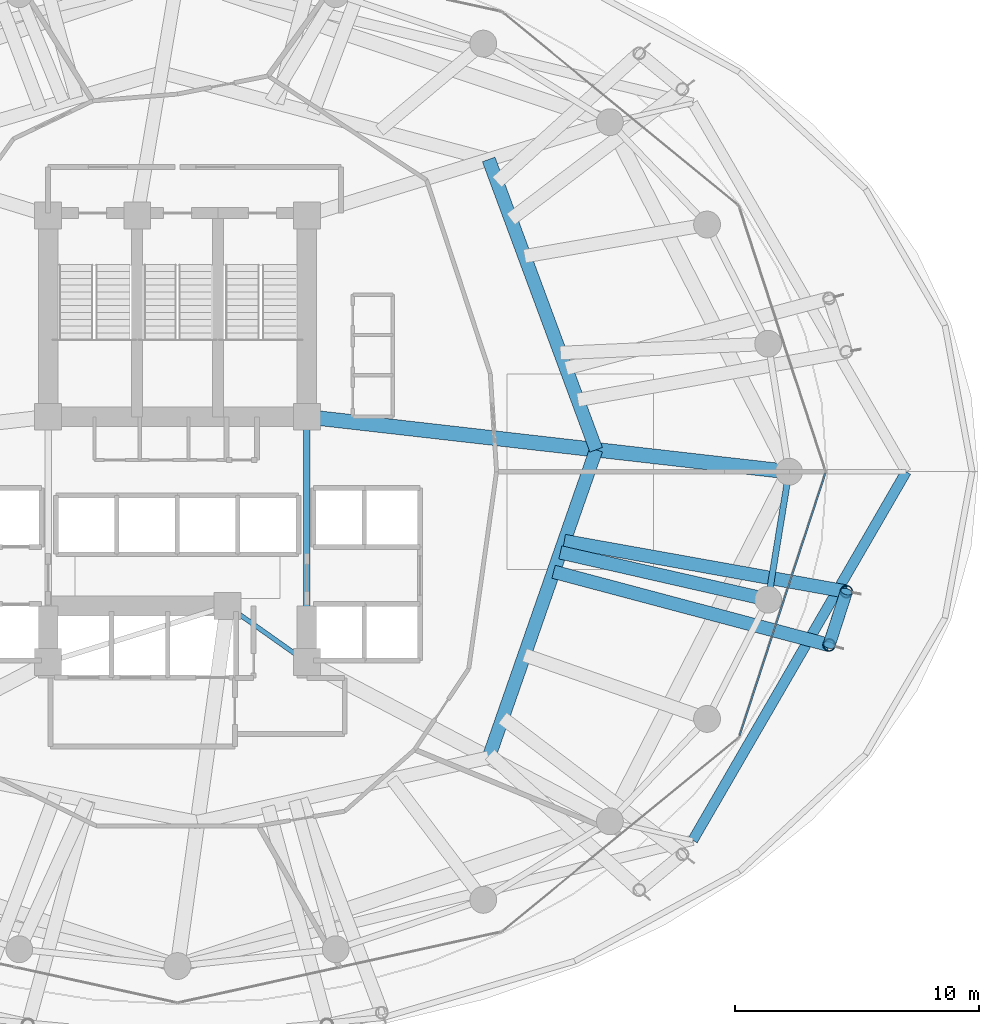
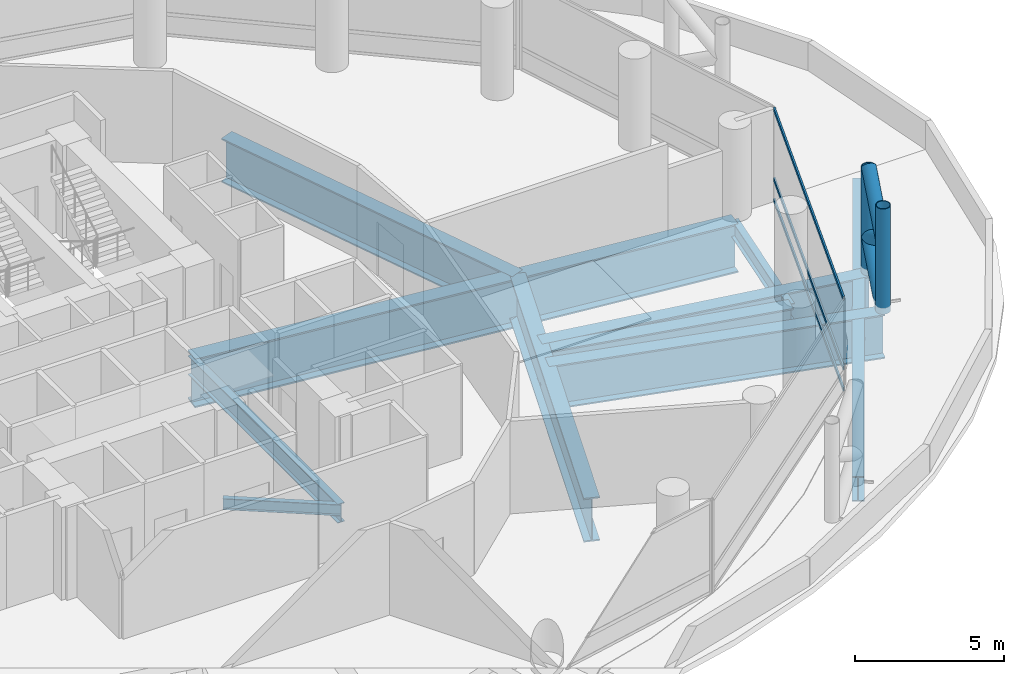
# One storey, part 15 of 37: 10 beams, 8 members, 1 element without a shape of its own.
"""IFC4 building model written with IfcOpenShell, lengths in metres."""

from ifc_helpers import new_model, si_unit, direction, frame, origin, origin_2d, place, context, subcontext, project, spatial, hollow_rectangle, hollow_circle, i_section, extrude, material, layer, layer_set, material_profile, profile_set, type_object, element, aggregate, save


model = new_model("IFC4")

# Units and contexts
model_context = context("Model", 3, precision=1e-05, world=origin(), true_north=direction((0.0, 1.0)))
body_context = subcontext(model_context, "Body", "Model", "MODEL_VIEW")
ifc_project = project(units=[si_unit("LENGTHUNIT", "METRE"), si_unit("AREAUNIT", "SQUARE_METRE"), si_unit("VOLUMEUNIT", "CUBIC_METRE"), si_unit("PLANEANGLEUNIT", "RADIAN"), si_unit("MASSUNIT", "GRAM", prefix="KILO")], contexts=[model_context])

# Site, building, storey
site_placement = place(None, origin())
site = spatial("IfcSite", under=ifc_project, at=site_placement, CompositionType="ELEMENT")
building_placement = place(site_placement, origin())
building = spatial("IfcBuilding", under=site, at=building_placement, Name="Nuhasar Tower", CompositionType="ELEMENT")
storey_placement = place(building_placement, frame((0.0, 0.0, 21.0)))
storey = spatial("IfcBuildingStorey", under=building, at=storey_placement, Name="L04", CompositionType="ELEMENT", Elevation=21.0)

# Beams
ifc_material_1 = material(Name="Steel S355", Category="steel")
ifc_material_profile_1 = material_profile(ifc_material_1, i_section(OverallWidth=0.18994140625, OverallDepth=0.45703125, WebThickness=0.009033203125, FlangeThickness=0.014404296875, at=origin_2d()), Name="W18X50")
ifc_profile_set_1 = profile_set([ifc_material_profile_1], Name="Steel S355")
beam_type_1 = type_object("IfcBeamType", Name="BM-RAD-W18X50", PredefinedType="BEAM", material=ifc_profile_set_1)
beam_1_placement = place(storey_placement, frame((41.050048828125, 21.300048828125, -0.489013671875), z_axis=(0.816265428953, -0.577677028708, 0.0), x_axis=(0.577677028708, 0.816265428953, 0.0)))
element("IfcBeam", 1, at=beam_1_placement, inside=storey, type_object=beam_type_1, Name="L04 Core Ring Girder 2", PredefinedType="BEAM", context=body_context, shape_type="SweptSolid", body=[
    extrude(i_section(OverallWidth=0.18994140625, OverallDepth=0.45703125, WebThickness=0.009033203125, FlangeThickness=0.014404296875, at=origin_2d()), origin(), (0.0, 0.0, 1.0), 3.9814453125),
])
ifc_material_profile_2 = material_profile(ifc_material_1, i_section(OverallWidth=0.26611328125, OverallDepth=0.779052734375, WebThickness=0.0166015625, FlangeThickness=0.030029296875, at=origin_2d()), Name="W30X148")
ifc_profile_set_2 = profile_set([ifc_material_profile_2], Name="Steel S355")
beam_type_2 = type_object("IfcBeamType", Name="BM-RAD-W30X148", PredefinedType="BEAM", material=ifc_profile_set_2)
beam_2_placement = place(storey_placement, frame((44.300048828125, 19.0, -0.64990234375), z_axis=(0.0, 1.0, 0.0), x_axis=(-1.0, 0.0, 0.0)))
element("IfcBeam", 2, at=beam_2_placement, inside=storey, type_object=beam_type_2, Name="L04 Core Ring Girder 3", PredefinedType="BEAM", context=body_context, shape_type="SweptSolid", body=[
    extrude(i_section(OverallWidth=0.26611328125, OverallDepth=0.779052734375, WebThickness=0.0166015625, FlangeThickness=0.030029296875, at=origin_2d()), origin(), (0.0, 0.0, 1.0), 10.050048828125),
])
ifc_material_profile_3 = material_profile(ifc_material_1, i_section(OverallWidth=0.256103515625, OverallDepth=0.693115234375, WebThickness=0.014404296875, FlangeThickness=0.023681640625, at=origin_2d()), Name="W27X114")
ifc_profile_set_3 = profile_set([ifc_material_profile_3], Name="Steel S355")
beam_type_3 = type_object("IfcBeamType", Name="BM-RING-W27X114", PredefinedType="SPANDREL", material=ifc_profile_set_3)
beam_3_placement = place(storey_placement, frame((63.196044921875, 21.55908203125, -0.60693359375), z_axis=(0.160826635486, 0.986982671235, 0.0), x_axis=(-0.986982671235, 0.160826635486, 0.0)))
element("IfcBeam", 3, at=beam_3_placement, inside=storey, type_object=beam_type_3, Name="L04 Perimeter Ring Spandrel 24", PredefinedType="SPANDREL", context=body_context, shape_type="SweptSolid", body=[
    extrude(i_section(OverallWidth=0.256103515625, OverallDepth=0.693115234375, WebThickness=0.014404296875, FlangeThickness=0.023681640625, at=origin_2d()), origin(), (0.0, 0.0, 1.0), 5.31005859375),
])
ifc_material_2 = material(Name="Steel S460", Category="steel")
ifc_material_profile_4 = material_profile(ifc_material_2, i_section(OverallWidth=0.550048828125, OverallDepth=1.64990234375, WebThickness=0.031982421875, FlangeThickness=0.054931640625, at=origin_2d()), Name="PG1650X550")
ifc_profile_set_4 = profile_set([ifc_material_profile_4], Name="Steel S460")
beam_type_4 = type_object("IfcBeamType", Name="BM-XFER-PG1650", PredefinedType="USERDEFINED", material=ifc_profile_set_4)
beam_4_placement = place(storey_placement, frame((54.68310546875, 23.49609375, -1.0849609375), z_axis=(0.975077061721, -0.221866454664, 0.0), x_axis=(0.221866454664, 0.975077061721, 0.0)))
element("IfcBeam", 4, at=beam_4_placement, inside=storey, type_object=beam_type_4, Name="L04 Inner Column Transfer Girder 24", ObjectType="GIRDER", PredefinedType="USERDEFINED", context=body_context, shape_type="SweptSolid", body=[
    extrude(i_section(OverallWidth=0.550048828125, OverallDepth=1.64990234375, WebThickness=0.031982421875, FlangeThickness=0.054931640625, at=origin_2d()), origin(), (0.0, 0.0, 1.0), 8.73046875),
])
ifc_material_profile_5 = material_profile(ifc_material_2, i_section(OverallWidth=0.550048828125, OverallDepth=1.800048828125, WebThickness=0.031982421875, FlangeThickness=0.054931640625, at=origin_2d()), Name="PG1800X550")
ifc_profile_set_5 = profile_set([ifc_material_profile_5], Name="Steel S460")
beam_type_5 = type_object("IfcBeamType", Name="BM-XFER-PG1800", PredefinedType="USERDEFINED", material=ifc_profile_set_5)
beam_5_placement = place(storey_placement, frame((51.748046875, 15.089111328125, -1.159912109375), z_axis=(0.329554049858, 0.944136710558, 0.0), x_axis=(-0.944136710558, 0.329554049858, 0.0)))
element("IfcBeam", 5, at=beam_5_placement, inside=storey, type_object=beam_type_5, Name="L04 Inner Header Beam 03", ObjectType="GIRDER", PredefinedType="USERDEFINED", context=body_context, shape_type="SweptSolid", body=[
    extrude(i_section(OverallWidth=0.550048828125, OverallDepth=1.800048828125, WebThickness=0.031982421875, FlangeThickness=0.054931640625, at=origin_2d()), origin(), (0.0, 0.0, 1.0), 13.35693359375),
])
beam_6_placement = place(storey_placement, frame((56.14990234375, 27.699951171875, -1.159912109375), z_axis=(-0.34715757476, 0.937806812881, 0.0), x_axis=(-0.937806812881, -0.34715757476, 0.0)))
element("IfcBeam", 6, at=beam_6_placement, inside=storey, type_object=beam_type_5, Name="L04 Inner Header Beam 04", ObjectType="GIRDER", PredefinedType="USERDEFINED", context=body_context, shape_type="SweptSolid", body=[
    extrude(i_section(OverallWidth=0.550048828125, OverallDepth=1.800048828125, WebThickness=0.031982421875, FlangeThickness=0.054931640625, at=origin_2d()), origin(), (0.0, 0.0, 1.0), 12.6796875),
])
beam_7_placement = place(storey_placement, frame((54.406005859375, 22.702880859375, -1.159912109375), z_axis=(0.966397133766, -0.257053651693, 0.0), x_axis=(0.257053651693, 0.966397133766, 0.0)))
element("IfcBeam", 7, at=beam_7_placement, inside=storey, type_object=beam_type_5, Name="L04 Exoskeleton Base Transfer Girder 23", ObjectType="GIRDER", PredefinedType="USERDEFINED", context=body_context, shape_type="SweptSolid", body=[
    extrude(i_section(OverallWidth=0.550048828125, OverallDepth=1.800048828125, WebThickness=0.031982421875, FlangeThickness=0.054931640625, at=origin_2d()), origin(), (0.0, 0.0, 1.0), 11.67822265625),
])
beam_8_placement = place(storey_placement, frame((54.844970703125, 23.9609375, -1.159912109375), z_axis=(0.984314388203, -0.176423312454, 0.0), x_axis=(0.176423312454, 0.984314388203, 0.0)))
element("IfcBeam", 8, at=beam_8_placement, inside=storey, type_object=beam_type_5, Name="L04 Exoskeleton Base Transfer Girder 24", ObjectType="GIRDER", PredefinedType="USERDEFINED", context=body_context, shape_type="SweptSolid", body=[
    extrude(i_section(OverallWidth=0.550048828125, OverallDepth=1.800048828125, WebThickness=0.031982421875, FlangeThickness=0.054931640625, at=origin_2d()), origin(), (0.0, 0.0, 1.0), 11.739013671875),
])
ifc_material_profile_6 = material_profile(ifc_material_2, i_section(OverallWidth=0.60009765625, OverallDepth=2.0, WebThickness=0.035888671875, FlangeThickness=0.06005859375, at=origin_2d()), Name="PG2000X600")
ifc_profile_set_6 = profile_set([ifc_material_profile_6], Name="Steel S460")
beam_type_6 = type_object("IfcBeamType", Name="BM-XFER-PG2000", PredefinedType="USERDEFINED", material=ifc_profile_set_6)
beam_9_placement = place(storey_placement, frame((44.300048828125, 29.050048828125, -1.260009765625), z_axis=(0.993573147212, -0.113191877531, 0.0), x_axis=(0.113191877531, 0.993573147212, 0.0)))
element("IfcBeam", 9, at=beam_9_placement, inside=storey, type_object=beam_type_6, Name="L04 Radial Floor Girder 04", ObjectType="GIRDER", PredefinedType="USERDEFINED", context=body_context, shape_type="SweptSolid", body=[
    extrude(i_section(OverallWidth=0.60009765625, OverallDepth=2.0, WebThickness=0.035888671875, FlangeThickness=0.06005859375, at=origin_2d()), origin(), (0.0, 0.0, 1.0), 19.877685546875),
])
ifc_material_profile_7 = material_profile(ifc_material_2, i_section(OverallWidth=0.419921875, OverallDepth=1.0400390625, WebThickness=0.031005859375, FlangeThickness=0.055908203125, at=origin_2d()), Name="W40X397")
ifc_profile_set_7 = profile_set([ifc_material_profile_7], Name="Steel S460")
beam_type_7 = type_object("IfcBeamType", Name="BM-XFER-W40X397", PredefinedType="USERDEFINED", material=ifc_profile_set_7)
beam_10_placement = place(storey_placement, frame((60.10693359375, 11.702880859375, -0.780029296875), z_axis=(0.501152108266, 0.865359211184, 0.0), x_axis=(-0.865359211184, 0.501152108266, 0.0)))
element("IfcBeam", 10, at=beam_10_placement, inside=storey, type_object=beam_type_7, Name="L04 Podium Ring Girder 03", ObjectType="GIRDER", PredefinedType="USERDEFINED", context=body_context, shape_type="SweptSolid", body=[
    extrude(i_section(OverallWidth=0.419921875, OverallDepth=1.0400390625, WebThickness=0.031005859375, FlangeThickness=0.055908203125, at=origin_2d()), origin(), (0.0, 0.0, 1.0), 17.446044921875),
])

# Curtain wall, members
ifc_material_3 = material(Name="Aluminium 6063-T6", Category="aluminium")
ifc_layer = layer(ifc_material_3, 0.199951171875)
ifc_layer_set = layer_set([ifc_layer], Name="Aluminium 6063-T6")
curtain_wall_type = type_object("IfcCurtainWallType", Name="CW-Z1-OFF", PredefinedType="NOTDEFINED", material=ifc_layer_set)
curtain_wall_placement = place(storey_placement, origin())
curtain_wall = element("IfcCurtainWall", 11, at=curtain_wall_placement, inside=storey, type_object=curtain_wall_type, Name="L04 Unitised Curtain Wall 12", PredefinedType="NOTDEFINED")
ifc_material_profile_8 = material_profile(ifc_material_3, hollow_rectangle(XDim=0.06494140625, YDim=0.14990234375, WallThickness=0.00439453125, at=origin_2d()), Name="CWT-2")
ifc_profile_set_8 = profile_set([ifc_material_profile_8], Name="Aluminium 6063-T6")
member_type_1 = type_object("IfcMemberType", Name="CW-TRN-S2", PredefinedType="USERDEFINED", material=ifc_profile_set_8)
member_1_placement = place(storey_placement, frame((62.022216796875, 15.981689453125, 0.032470703125), z_axis=(0.310818687697, 0.950469222741, 0.0), x_axis=(-0.950469222741, 0.310818687697, 0.0)))
member_1 = element("IfcMember", 12, at=member_1_placement, type_object=member_type_1, Name="CW-Z1 transom 1.1", ObjectType="TRANSOM", PredefinedType="USERDEFINED", context=body_context, shape_type="SweptSolid", body=[
    extrude(hollow_rectangle(XDim=0.06494140625, YDim=0.14990234375, WallThickness=0.00439453125, at=origin_2d()), origin(), (0.0, 0.0, 1.0), 11.317138671875),
])
member_2_placement = place(storey_placement, frame((62.022216796875, 15.981689453125, 0.89990234375), z_axis=(0.310818687697, 0.950469222741, 0.0), x_axis=(-0.950469222741, 0.310818687697, 0.0)))
member_2 = element("IfcMember", 13, at=member_2_placement, type_object=member_type_1, Name="CW-Z1 transom 1.2", ObjectType="TRANSOM", PredefinedType="USERDEFINED", context=body_context, shape_type="SweptSolid", body=[
    extrude(hollow_rectangle(XDim=0.06494140625, YDim=0.14990234375, WallThickness=0.00439453125, at=origin_2d()), origin(), (0.0, 0.0, 1.0), 11.317138671875),
])
member_3_placement = place(storey_placement, frame((62.022216796875, 15.981689453125, 3.757568359375), z_axis=(0.310818687697, 0.950469222741, 0.0), x_axis=(-0.950469222741, 0.310818687697, 0.0)))
member_3 = element("IfcMember", 14, at=member_3_placement, type_object=member_type_1, Name="CW-Z1 transom 1.3", ObjectType="TRANSOM", PredefinedType="USERDEFINED", context=body_context, shape_type="SweptSolid", body=[
    extrude(hollow_rectangle(XDim=0.06494140625, YDim=0.14990234375, WallThickness=0.00439453125, at=origin_2d()), origin(), (0.0, 0.0, 1.0), 11.317138671875),
])
aggregate(curtain_wall, [member_1, member_2, member_3])

# Members
ifc_material_profile_9 = material_profile(ifc_material_2, hollow_circle(Radius=0.25390625, WallThickness=0.025390625, at=origin_2d()), Name="HSS508X25.4")
ifc_profile_set_9 = profile_set([ifc_material_profile_9], Name="Steel S460")
member_type_2 = type_object("IfcMemberType", Name="EXO-BRONZE-508", PredefinedType="BRACE", material=ifc_profile_set_9)
for number, where, z_axis, x_axis, name in (
    (15, (65.69189453125, 19.700927734375, -0.260009765625), (0.0, 0.0, 1.0), (1.0, 0.0, 0.0), "L04 Exoskeleton Chord Column EC-12A"),
    (16, (66.39990234375, 21.889892578125, -0.260009765625), (0.0, 0.0, 1.0), (1.0, 0.0, 0.0), "L04 Exoskeleton Chord Column EC-12B"),
):
    element("IfcMember", number, at=place(storey_placement, frame(where, z_axis=z_axis, x_axis=x_axis)), inside=storey, type_object=member_type_2, Name=name, PredefinedType="BRACE", context=body_context, shape_type="SweptSolid", body=[
        extrude(hollow_circle(Radius=0.25390625, WallThickness=0.025390625, at=origin_2d()), origin(), (0.0, 0.0, 1.0), 4.31005859375),
    ])
member_4_placement = place(storey_placement, frame((65.69189453125, 19.700927734375, -0.260009765625), z_axis=(0.261013360154, 0.806981305911, 0.529767116506), x_axis=(-0.951468282519, 0.307746823478, 0.0)))
element("IfcMember", 17, at=member_4_placement, inside=storey, type_object=member_type_2, Name="L04 Bronze Diagrid Brace W1-12", PredefinedType="BRACE", context=body_context, shape_type="SweptSolid", body=[
    extrude(hollow_circle(Radius=0.25390625, WallThickness=0.025390625, at=origin_2d()), origin(), (0.0, 0.0, 1.0), 2.712646484375),
])
member_5_placement = place(storey_placement, frame((66.39990234375, 21.889892578125, 1.177001953125), z_axis=(-0.26106313949, -0.807135209886, 0.529508064304), x_axis=(0.951468282519, -0.307746823478, 0.0)))
element("IfcMember", 18, at=member_5_placement, inside=storey, type_object=member_type_2, Name="L04 Bronze Diagrid Brace W2-12", PredefinedType="BRACE", context=body_context, shape_type="SweptSolid", body=[
    extrude(hollow_circle(Radius=0.25390625, WallThickness=0.025390625, at=origin_2d()), origin(), (0.0, 0.0, 1.0), 2.7119140625),
])
member_6_placement = place(storey_placement, frame((65.69189453125, 19.700927734375, 2.613037109375), z_axis=(0.261013360154, 0.806981305911, 0.529767116506), x_axis=(-0.951468282519, 0.307746823478, 0.0)))
element("IfcMember", 19, at=member_6_placement, inside=storey, type_object=member_type_2, Name="L04 Bronze Diagrid Brace W3-12", PredefinedType="BRACE", context=body_context, shape_type="SweptSolid", body=[
    extrude(hollow_circle(Radius=0.25390625, WallThickness=0.025390625, at=origin_2d()), origin(), (0.0, 0.0, 1.0), 2.712646484375),
])

save(model, "model.ifc")
